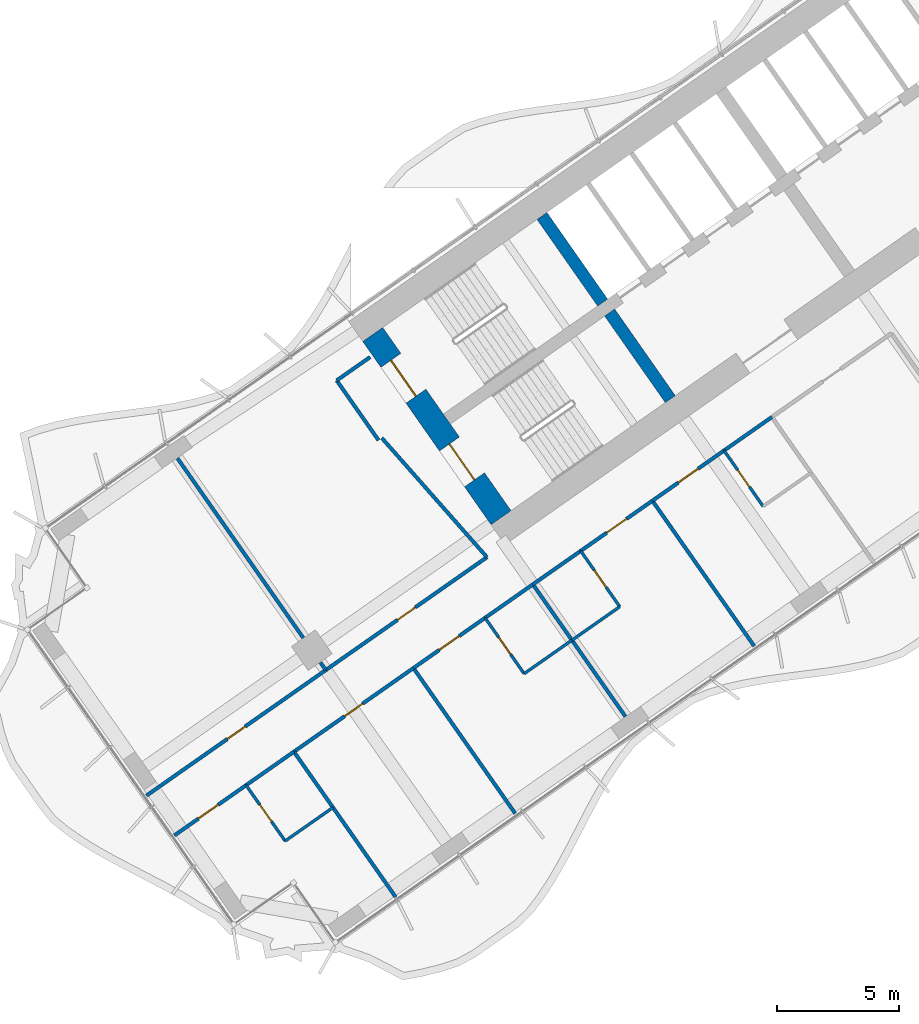
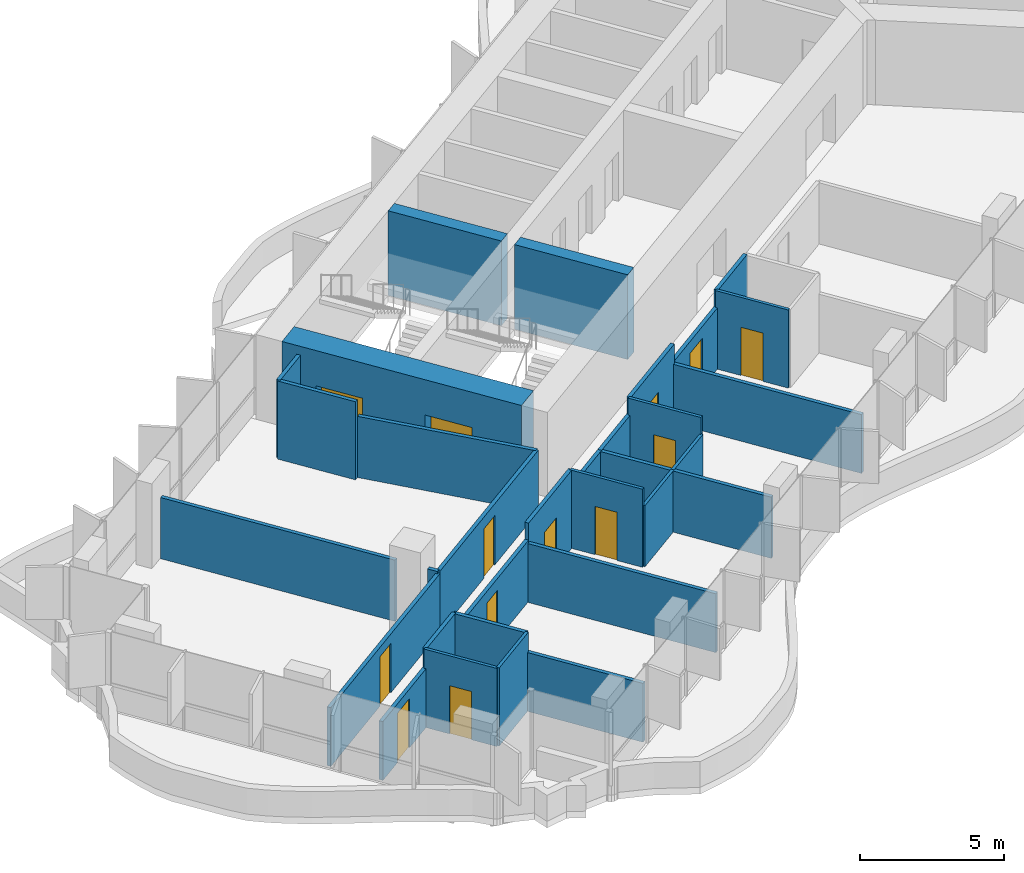
# One storey, part 12 of 23: 32 walls, 13 doors, 13 openings.
"""IFC4 building model written with IfcOpenShell, lengths in metres."""

from ifc_helpers import new_model, si_unit, direction, frame, frame_2d, origin, place, context, subcontext, project, spatial, polyline, rectangle, outline, extrude, material, layer, layer_set, type_object, element, fill, save


model = new_model("IFC4")

# Units and contexts
model_context = context("Model", 3, precision=1e-05, world=origin(), true_north=direction((0.0, 1.0)))
body_context = subcontext(model_context, "Body", "Model", "MODEL_VIEW")
ifc_project = project(units=[si_unit("LENGTHUNIT", "METRE"), si_unit("AREAUNIT", "SQUARE_METRE"), si_unit("VOLUMEUNIT", "CUBIC_METRE"), si_unit("PLANEANGLEUNIT", "RADIAN"), si_unit("MASSUNIT", "GRAM", prefix="KILO")], contexts=[model_context])

# Site, building, storey
site_placement = place(None, origin())
site = spatial("IfcSite", under=ifc_project, at=site_placement, CompositionType="ELEMENT")
building_placement = place(site_placement, origin())
building = spatial("IfcBuilding", under=site, at=building_placement, Name="Tel Ilan Convention Tower", CompositionType="ELEMENT")
storey_placement = place(building_placement, frame((0.0, 0.0, 119.300048828125)))
storey = spatial("IfcBuildingStorey", under=building, at=storey_placement, Name="L26", CompositionType="ELEMENT", Elevation=119.300048828125)

# Wall, openings, doors
ifc_material_1 = material(Name="Concrete C60/75", Category="concrete")
ifc_layer_1 = layer(ifc_material_1, 1.0)
ifc_layer_set_1 = layer_set([ifc_layer_1], Name="Core Shear Wall 1000 mm C60/75")
wall_type_1 = type_object("IfcWallType", Name="Core Shear Wall 1000 mm C60/75", PredefinedType="SHEAR", material=ifc_layer_set_1)
wall_1_placement = place(storey_placement, frame((-21.70751953125, -15.19970703125, 0.0), z_axis=(0.0, 0.0, 1.0), x_axis=(-0.573576324356, 0.819152122709, 0.0)))
wall_1 = element("IfcWall", 1, at=wall_1_placement, inside=storey, type_object=wall_type_1, Name="L26 core wall W-end", PredefinedType="SHEAR", context=body_context, shape_type="SweptSolid", body=[
    extrude(outline(polyline([(0.0, 0.5), (0.0, -0.5), (9.199951171875, -0.5), (9.199951171875, 0.5), (0.0, 0.5)])), origin(), (0.0, 0.0, 1.0), 3.599853515625),
])
opening_1_placement = place(wall_1_placement, frame((6.10009765625, 0.0, 0.0)))
opening_1 = element("IfcOpeningElement", 2, at=opening_1_placement, cuts=wall_1, Name="Opening SD2001", PredefinedType="OPENING", context=body_context, shape_type="SweptSolid", body=[
    extrude(rectangle(XDim=1.800048828125, YDim=2.10009765625, at=frame_2d((0.89990234375, 1.050048828125))), frame((0.0, 0.510009765625, 0.0), z_axis=(0.0, -1.0, 0.0), x_axis=(1.0, 0.0, 0.0)), (0.0, 0.0, 1.0), 1.02001953125),
])
opening_2_placement = place(wall_1_placement, frame((1.89990234375, 0.0, 0.0)))
opening_2 = element("IfcOpeningElement", 3, at=opening_2_placement, cuts=wall_1, Name="Opening SD2002", PredefinedType="OPENING", context=body_context, shape_type="SweptSolid", body=[
    extrude(rectangle(XDim=1.800048828125, YDim=2.10009765625, at=frame_2d((0.89990234375, 1.050048828125))), frame((0.0, 0.510009765625, 0.0), z_axis=(0.0, -1.0, 0.0), x_axis=(1.0, 0.0, 0.0)), (0.0, 0.0, 1.0), 1.02001953125),
])
ifc_material_2 = material(Name="Galvanised Steel Door Leaf", Category="steel")
door_type_1 = type_object("IfcDoorType", Name="Stair Fire Door 1800 x 2100 FD60S", OperationType="NOTDEFINED", PredefinedType="DOOR", material=ifc_material_2)
door_1_placement = place(opening_1_placement, origin())
door_1 = element("IfcDoor", 4, at=door_1_placement, inside=storey, type_object=door_type_1, Name="Stair S1 door", OperationType="DOUBLE_DOOR_SINGLE_SWING", OverallHeight=2.10009765625, OverallWidth=1.800048828125, PredefinedType="DOOR", context=body_context, shape_type="SweptSolid", body=[
    extrude(rectangle(XDim=1.800048828125, YDim=2.10009765625, at=frame_2d((0.89990234375, 1.050048828125))), frame((0.0, 0.02490234375, 0.0), z_axis=(0.0, -1.0, 0.0), x_axis=(1.0, 0.0, 0.0)), (0.0, 0.0, 1.0), 0.050048828125),
])
fill(opening_1, door_1)
door_2_placement = place(opening_2_placement, origin())
door_2 = element("IfcDoor", 5, at=door_2_placement, inside=storey, type_object=door_type_1, Name="Stair S2 door", OperationType="DOUBLE_DOOR_SINGLE_SWING", OverallHeight=2.10009765625, OverallWidth=1.800048828125, PredefinedType="DOOR", context=body_context, shape_type="SweptSolid", body=[
    extrude(rectangle(XDim=1.800048828125, YDim=2.10009765625, at=frame_2d((0.89990234375, 1.050048828125))), frame((0.0, 0.02490234375, 0.0), z_axis=(0.0, -1.0, 0.0), x_axis=(1.0, 0.0, 0.0)), (0.0, 0.0, 1.0), 0.050048828125),
])
fill(opening_2, door_2)

# Walls
ifc_material_3 = material(Name="Concrete C60/75", Category="concrete")
ifc_layer_2 = layer(ifc_material_3, 0.5)
ifc_layer_set_2 = layer_set([ifc_layer_2], Name="Core Shear Wall 500 mm C60/75")
wall_type_2 = type_object("IfcWallType", Name="Core Shear Wall 500 mm C60/75", PredefinedType="SHEAR", material=ifc_layer_set_2)
wall_2_placement = place(storey_placement, frame((-14.74462890625, -10.324462890625, 0.0), z_axis=(0.0, 0.0, 1.0), x_axis=(-0.57356780395, 0.819158088694, 0.0)))
element("IfcWall", 6, at=wall_2_placement, inside=storey, type_object=wall_type_2, Name="L26 core wall W-cross2-1", PredefinedType="SHEAR", context=body_context, shape_type="SweptSolid", body=[
    extrude(outline(polyline([(4.35009765625, 0.250244140625), (0.0, 0.25), (0.0, -0.25), (4.35009765625, -0.25), (4.35009765625, 0.250244140625)])), origin(), (0.0, 0.0, 1.0), 3.599853515625),
])
wall_3_placement = place(storey_placement, frame((-17.526611328125, -6.3515625, 0.0), z_axis=(0.0, 0.0, 1.0), x_axis=(-0.573530143085, 0.819184457233, 0.0)))
element("IfcWall", 7, at=wall_3_placement, inside=storey, type_object=wall_type_2, Name="L26 core wall W-cross2-2", PredefinedType="SHEAR", context=body_context, shape_type="SweptSolid", body=[
    extrude(outline(polyline([(4.35009765625, -0.249755859375), (4.35009765625, 0.250244140625), (0.0, 0.25), (0.0, -0.25), (4.35009765625, -0.249755859375)])), origin(), (0.0, 0.0, 1.0), 3.599853515625),
])

# Wall, opening, door
ifc_material_4 = material(Name="Plasterboard on Steel Studs", Category="steel")
ifc_layer_3 = layer(ifc_material_4, 0.14990234375)
ifc_layer_set_3 = layer_set([ifc_layer_3], Name="Fire-rated Partition 150 EI 60")
wall_type_3 = type_object("IfcWallType", Name="Fire-rated Partition 150 EI 60", PredefinedType="PARTITIONING", material=ifc_layer_set_3)
wall_4_placement = place(storey_placement, frame((-28.91748046875, -21.468994140625, 0.0), z_axis=(0.0, 0.0, 1.0), x_axis=(0.819152599934, 0.573575642807, 0.0)))
wall_4 = element("IfcWall", 8, at=wall_4_placement, inside=storey, type_object=wall_type_3, Name="Partition 021", PredefinedType="PARTITIONING", context=body_context, shape_type="SweptSolid", body=[
    extrude(rectangle(XDim=8.098388671875, YDim=0.14990234375, at=frame_2d((4.04931640625, 0.0))), origin(), (0.0, 0.0, 1.0), 2.599853515625),
])
opening_3_placement = place(wall_4_placement, frame((3.59912109375, 0.0, 0.0)))
opening_3 = element("IfcOpeningElement", 9, at=opening_3_placement, cuts=wall_4, Name="Opening L24-011", PredefinedType="OPENING", context=body_context, shape_type="SweptSolid", body=[
    extrude(rectangle(XDim=0.89990234375, YDim=2.10009765625, at=frame_2d((0.449951171875, 1.050048828125))), frame((0.0, 0.0849609375, 0.0), z_axis=(0.0, -1.0, 0.0), x_axis=(1.0, 0.0, 0.0)), (0.0, 0.0, 1.0), 0.169921875),
])
ifc_material_5 = material(Name="Timber Door Leaf in Steel Frame", Category="steel")
door_type_2 = type_object("IfcDoorType", Name="Room Fire Door 900x2100", OperationType="NOTDEFINED", PredefinedType="DOOR", material=ifc_material_5)
door_3_placement = place(opening_3_placement, origin())
door_3 = element("IfcDoor", 10, at=door_3_placement, inside=storey, type_object=door_type_2, Name="Door L24-011", OperationType="SINGLE_SWING_LEFT", OverallHeight=2.10009765625, OverallWidth=0.89990234375, PredefinedType="DOOR", context=body_context, shape_type="SweptSolid", body=[
    extrude(rectangle(XDim=0.89990234375, YDim=2.10009765625, at=frame_2d((0.449951171875, 1.050048828125))), frame((0.0, 0.02490234375, 0.0), z_axis=(0.0, -1.0, 0.0), x_axis=(1.0, 0.0, 0.0)), (0.0, 0.0, 1.0), 0.050048828125),
])
fill(opening_3, door_3)

wall_5_placement = place(storey_placement, frame((-36.288330078125, -26.630126953125, 0.0), z_axis=(0.0, 0.0, 1.0), x_axis=(0.81915291695, 0.57357519006, 0.0)))
wall_5 = element("IfcWall", 11, at=wall_5_placement, inside=storey, type_object=wall_type_3, Name="Partition 022", PredefinedType="PARTITIONING", context=body_context, shape_type="SweptSolid", body=[
    extrude(rectangle(XDim=9.001953125, YDim=0.14990234375, at=frame_2d((4.5009765625, 0.0))), origin(), (0.0, 0.0, 1.0), 2.5),
])
opening_4_placement = place(wall_5_placement, frame((4.051025390625, 0.0, 0.0)))
opening_4 = element("IfcOpeningElement", 12, at=opening_4_placement, cuts=wall_5, Name="Opening L24-012", PredefinedType="OPENING", context=body_context, shape_type="SweptSolid", body=[
    extrude(rectangle(XDim=0.89990234375, YDim=2.10009765625, at=frame_2d((0.449951171875, 1.050048828125))), frame((0.0, 0.0849609375, 0.0), z_axis=(0.0, -1.0, 0.0), x_axis=(1.0, 0.0, 0.0)), (0.0, 0.0, 1.0), 0.169921875),
])
door_4_placement = place(opening_4_placement, origin())
door_4 = element("IfcDoor", 13, at=door_4_placement, inside=storey, type_object=door_type_2, Name="Door L24-012", OperationType="SINGLE_SWING_LEFT", OverallHeight=2.10009765625, OverallWidth=0.89990234375, PredefinedType="DOOR", context=body_context, shape_type="SweptSolid", body=[
    extrude(rectangle(XDim=0.89990234375, YDim=2.10009765625, at=frame_2d((0.449951171875, 1.050048828125))), frame((0.0, 0.02490234375, 0.0), z_axis=(0.0, -1.0, 0.0), x_axis=(1.0, 0.0, 0.0)), (0.0, 0.0, 1.0), 0.050048828125),
])
fill(opening_4, door_4)

wall_6_placement = place(storey_placement, frame((-12.53173828125, -12.43701171875, 0.0), z_axis=(0.0, 0.0, 1.0), x_axis=(-0.819145961204, -0.573585123798, 0.0)))
wall_6 = element("IfcWall", 14, at=wall_6_placement, inside=storey, type_object=wall_type_3, Name="Partition 024", PredefinedType="PARTITIONING", context=body_context, shape_type="SweptSolid", body=[
    extrude(rectangle(XDim=3.60302734375, YDim=0.14990234375, at=frame_2d((1.801513671875, 0.0))), origin(), (0.0, 0.0, 1.0), 2.599853515625),
])
opening_5_placement = place(wall_6_placement, frame((1.301025390625, 0.0, 0.0)))
opening_5 = element("IfcOpeningElement", 15, at=opening_5_placement, cuts=wall_6, Name="Opening L24-003", PredefinedType="OPENING", context=body_context, shape_type="SweptSolid", body=[
    extrude(rectangle(XDim=1.0, YDim=2.10009765625, at=frame_2d((0.5, 1.050048828125))), frame((0.0, 0.0849609375, 0.0), z_axis=(0.0, -1.0, 0.0), x_axis=(1.0, 0.0, 0.0)), (0.0, 0.0, 1.0), 0.169921875),
])
ifc_material_6 = material(Name="Timber Door Leaf in Steel Frame", Category="steel")
door_type_3 = type_object("IfcDoorType", Name="Hotel Room Entrance Fire Door 1000x2100", OperationType="NOTDEFINED", PredefinedType="DOOR", material=ifc_material_6)
door_5_placement = place(opening_5_placement, origin())
door_5 = element("IfcDoor", 16, at=door_5_placement, inside=storey, type_object=door_type_3, Name="Door L24-003", OperationType="SINGLE_SWING_LEFT", OverallHeight=2.10009765625, OverallWidth=1.0, PredefinedType="DOOR", context=body_context, shape_type="SweptSolid", body=[
    extrude(rectangle(XDim=1.0, YDim=2.10009765625, at=frame_2d((0.5, 1.050048828125))), frame((0.0, 0.02490234375, 0.0), z_axis=(0.0, -1.0, 0.0), x_axis=(1.0, 0.0, 0.0)), (0.0, 0.0, 1.0), 0.050048828125),
])
fill(opening_5, door_5)

# Wall
wall_7_placement = place(storey_placement, frame((-10.56494140625, -11.06005859375, 0.0), z_axis=(0.0, 0.0, 1.0), x_axis=(-0.819193748, -0.57351687267, 0.0)))
element("IfcWall", 17, at=wall_7_placement, inside=storey, type_object=wall_type_3, Name="Partition 025", PredefinedType="PARTITIONING", context=body_context, shape_type="SweptSolid", body=[
    extrude(rectangle(XDim=2.40380859375, YDim=0.14990234375, at=frame_2d((1.201904296875, 0.0))), origin(), (0.0, 0.0, 1.0), 3.320068359375),
])

# Wall, opening, door
wall_8_placement = place(storey_placement, frame((-15.479736328125, -14.50146484375, 0.0), z_axis=(0.0, 0.0, 1.0), x_axis=(-0.819145961204, -0.573585123798, 0.0)))
wall_8 = element("IfcWall", 18, at=wall_8_placement, inside=storey, type_object=wall_type_3, Name="Partition 026", PredefinedType="PARTITIONING", context=body_context, shape_type="SweptSolid", body=[
    extrude(rectangle(XDim=3.60302734375, YDim=0.14990234375, at=frame_2d((1.801513671875, 0.0))), origin(), (0.0, 0.0, 1.0), 3.320068359375),
])
opening_6_placement = place(wall_8_placement, frame((1.302001953125, 0.0, 0.0)))
opening_6 = element("IfcOpeningElement", 19, at=opening_6_placement, cuts=wall_8, Name="Opening L24-005", PredefinedType="OPENING", context=body_context, shape_type="SweptSolid", body=[
    extrude(rectangle(XDim=1.0, YDim=2.10009765625, at=frame_2d((0.5, 1.050048828125))), frame((0.0, 0.0849609375, 0.0), z_axis=(0.0, -1.0, 0.0), x_axis=(1.0, 0.0, 0.0)), (0.0, 0.0, 1.0), 0.169921875),
])
door_6_placement = place(opening_6_placement, origin())
door_6 = element("IfcDoor", 20, at=door_6_placement, inside=storey, type_object=door_type_3, Name="Door L24-005", OperationType="SINGLE_SWING_LEFT", OverallHeight=2.10009765625, OverallWidth=1.0, PredefinedType="DOOR", context=body_context, shape_type="SweptSolid", body=[
    extrude(rectangle(XDim=1.0, YDim=2.10009765625, at=frame_2d((0.5, 1.050048828125))), frame((0.0, 0.02490234375, 0.0), z_axis=(0.0, -1.0, 0.0), x_axis=(1.0, 0.0, 0.0)), (0.0, 0.0, 1.0), 0.050048828125),
])
fill(opening_6, door_6)

# Wall
wall_9_placement = place(storey_placement, frame((-18.4287109375, -16.56640625, 0.0), z_axis=(0.0, 0.0, 1.0), x_axis=(-0.819146032251, -0.573585022335, 0.0)))
element("IfcWall", 21, at=wall_9_placement, inside=storey, type_object=wall_type_3, Name="Partition 027", PredefinedType="PARTITIONING", context=body_context, shape_type="SweptSolid", body=[
    extrude(rectangle(XDim=2.404052734375, YDim=0.14990234375, at=frame_2d((1.2021484375, 0.0))), origin(), (0.0, 0.0, 1.0), 2.599853515625),
])

# Wall, opening, door
wall_10_placement = place(storey_placement, frame((-22.361572265625, -19.320068359375, 0.0), z_axis=(0.0, 0.0, 1.0), x_axis=(-0.819145961204, -0.573585123798, 0.0)))
wall_10 = element("IfcWall", 22, at=wall_10_placement, inside=storey, type_object=wall_type_3, Name="Partition 028", PredefinedType="PARTITIONING", context=body_context, shape_type="SweptSolid", body=[
    extrude(rectangle(XDim=3.60302734375, YDim=0.14990234375, at=frame_2d((1.801513671875, 0.0))), origin(), (0.0, 0.0, 1.0), 3.320068359375),
])
opening_7_placement = place(wall_10_placement, frame((1.301025390625, 0.0, 0.0)))
opening_7 = element("IfcOpeningElement", 23, at=opening_7_placement, cuts=wall_10, Name="Opening L24-007", PredefinedType="OPENING", context=body_context, shape_type="SweptSolid", body=[
    extrude(rectangle(XDim=1.0, YDim=2.10009765625, at=frame_2d((0.5, 1.050048828125))), frame((0.0, 0.0849609375, 0.0), z_axis=(0.0, -1.0, 0.0), x_axis=(1.0, 0.0, 0.0)), (0.0, 0.0, 1.0), 0.169921875),
])
door_7_placement = place(opening_7_placement, origin())
door_7 = element("IfcDoor", 24, at=door_7_placement, inside=storey, type_object=door_type_3, Name="Door L24-007", OperationType="SINGLE_SWING_LEFT", OverallHeight=2.10009765625, OverallWidth=1.0, PredefinedType="DOOR", context=body_context, shape_type="SweptSolid", body=[
    extrude(rectangle(XDim=1.0, YDim=2.10009765625, at=frame_2d((0.5, 1.050048828125))), frame((0.0, 0.02490234375, 0.0), z_axis=(0.0, -1.0, 0.0), x_axis=(1.0, 0.0, 0.0)), (0.0, 0.0, 1.0), 0.050048828125),
])
fill(opening_7, door_7)

# Wall
wall_11_placement = place(storey_placement, frame((-20.394775390625, -17.94287109375, 0.0), z_axis=(0.0, 0.0, 1.0), x_axis=(-0.819146032251, -0.573585022335, 0.0)))
element("IfcWall", 25, at=wall_11_placement, inside=storey, type_object=wall_type_3, Name="Partition 029", PredefinedType="PARTITIONING", context=body_context, shape_type="SweptSolid", body=[
    extrude(rectangle(XDim=2.404052734375, YDim=0.14990234375, at=frame_2d((1.2021484375, 0.0))), origin(), (0.0, 0.0, 1.0), 2.599853515625),
])

# Wall, opening, door
wall_12_placement = place(storey_placement, frame((-25.3095703125, -21.38427734375, 0.0), z_axis=(0.0, 0.0, 1.0), x_axis=(-0.819145946981, -0.573585144111, 0.0)))
wall_12 = element("IfcWall", 26, at=wall_12_placement, inside=storey, type_object=wall_type_3, Name="Partition 030", PredefinedType="PARTITIONING", context=body_context, shape_type="SweptSolid", body=[
    extrude(rectangle(XDim=6.004150390625, YDim=0.14990234375, at=frame_2d((3.001953125, 0.0))), origin(), (0.0, 0.0, 1.0), 2.599853515625),
])
opening_8_placement = place(wall_12_placement, frame((2.552001953125, 0.0, 0.0)))
opening_8 = element("IfcOpeningElement", 27, at=opening_8_placement, cuts=wall_12, Name="Opening L24-008", PredefinedType="OPENING", context=body_context, shape_type="SweptSolid", body=[
    extrude(rectangle(XDim=0.89990234375, YDim=2.10009765625, at=frame_2d((0.449951171875, 1.050048828125))), frame((0.0, 0.0849609375, 0.0), z_axis=(0.0, -1.0, 0.0), x_axis=(1.0, 0.0, 0.0)), (0.0, 0.0, 1.0), 0.169921875),
])
door_8_placement = place(opening_8_placement, origin())
door_8 = element("IfcDoor", 28, at=door_8_placement, inside=storey, type_object=door_type_2, Name="Door L24-008", OperationType="SINGLE_SWING_RIGHT", OverallHeight=2.10009765625, OverallWidth=0.89990234375, PredefinedType="DOOR", context=body_context, shape_type="SweptSolid", body=[
    extrude(rectangle(XDim=0.89990234375, YDim=2.10009765625, at=frame_2d((0.449951171875, 1.050048828125))), frame((0.0, 0.02490234375, 0.0), z_axis=(0.0, -1.0, 0.0), x_axis=(1.0, 0.0, 0.0)), (0.0, 0.0, 1.0), 0.050048828125),
])
fill(opening_8, door_8)

wall_13_placement = place(storey_placement, frame((-32.19140625, -26.202880859375, 0.0), z_axis=(0.0, 0.0, 1.0), x_axis=(-0.819149096931, -0.573580645591, 0.0)))
wall_13 = element("IfcWall", 29, at=wall_13_placement, inside=storey, type_object=wall_type_3, Name="Partition 031", PredefinedType="PARTITIONING", context=body_context, shape_type="SweptSolid", body=[
    extrude(rectangle(XDim=3.600830078125, YDim=0.14990234375, at=frame_2d((1.80029296875, 0.0))), origin(), (0.0, 0.0, 1.0), 2.5),
])
opening_9_placement = place(wall_13_placement, frame((1.40087890625, 0.0, 0.0)))
opening_9 = element("IfcOpeningElement", 30, at=opening_9_placement, cuts=wall_13, Name="Opening L24-010", PredefinedType="OPENING", context=body_context, shape_type="SweptSolid", body=[
    extrude(rectangle(XDim=1.0, YDim=2.10009765625, at=frame_2d((0.5, 1.050048828125))), frame((0.0, 0.0849609375, 0.0), z_axis=(0.0, -1.0, 0.0), x_axis=(1.0, 0.0, 0.0)), (0.0, 0.0, 1.0), 0.169921875),
])
door_9_placement = place(opening_9_placement, origin())
door_9 = element("IfcDoor", 31, at=door_9_placement, inside=storey, type_object=door_type_3, Name="Door L24-010", OperationType="SINGLE_SWING_LEFT", OverallHeight=2.10009765625, OverallWidth=1.0, PredefinedType="DOOR", context=body_context, shape_type="SweptSolid", body=[
    extrude(rectangle(XDim=1.0, YDim=2.10009765625, at=frame_2d((0.5, 1.050048828125))), frame((0.0, 0.02490234375, 0.0), z_axis=(0.0, -1.0, 0.0), x_axis=(1.0, 0.0, 0.0)), (0.0, 0.0, 1.0), 0.050048828125),
])
fill(opening_9, door_9)

# Walls
wall_14_placement = place(storey_placement, frame((-30.224609375, -24.82568359375, 0.0), z_axis=(0.0, 0.0, 1.0), x_axis=(-0.819146032251, -0.573585022335, 0.0)))
element("IfcWall", 32, at=wall_14_placement, inside=storey, type_object=wall_type_3, Name="Partition 032", PredefinedType="PARTITIONING", context=body_context, shape_type="SweptSolid", body=[
    extrude(rectangle(XDim=2.404052734375, YDim=0.14990234375, at=frame_2d((1.2021484375, 0.0))), origin(), (0.0, 0.0, 1.0), 3.320068359375),
])
wall_15_placement = place(storey_placement, frame((-26.74609375, -12.013671875, 0.0), z_axis=(0.0, 0.0, 1.0), x_axis=(-0.573560650686, 0.819163097304, 0.0)))
element("IfcWall", 33, at=wall_15_placement, inside=storey, type_object=wall_type_3, Name="Partition 071", PredefinedType="PARTITIONING", context=body_context, shape_type="SweptSolid", body=[
    extrude(rectangle(XDim=3.0, YDim=0.14990234375, at=frame_2d((1.5, 0.0))), origin(), (0.0, 0.0, 1.0), 3.320068359375),
])
wall_16_placement = place(storey_placement, frame((-28.466796875, -9.55615234375, 0.0), z_axis=(0.0, 0.0, 1.0), x_axis=(0.819109000826, 0.573637903879, 0.0)))
element("IfcWall", 34, at=wall_16_placement, inside=storey, type_object=wall_type_3, Name="Partition 072", PredefinedType="PARTITIONING", context=body_context, shape_type="SweptSolid", body=[
    extrude(rectangle(XDim=1.679931640625, YDim=0.14990234375, at=frame_2d((0.83984375, 0.0))), origin(), (0.0, 0.0, 1.0), 3.320068359375),
])
wall_17_placement = place(storey_placement, frame((-22.2841796875, -16.82666015625, 0.0), z_axis=(0.0, 0.0, 1.0), x_axis=(-0.661545117561, 0.749905365651, 0.0)))
element("IfcWall", 35, at=wall_17_placement, inside=storey, type_object=wall_type_3, Name="Partition 073", PredefinedType="PARTITIONING", context=body_context, shape_type="SweptSolid", body=[
    extrude(rectangle(XDim=6.542724609375, YDim=0.14990234375, at=frame_2d((3.271484375, 0.0))), origin(), (0.0, 0.0, 1.0), 2.599853515625),
])
wall_18_placement = place(storey_placement, frame((-28.916015625, -21.468017578125, 0.0), z_axis=(0.0, 0.0, 1.0), x_axis=(-0.572944929411, 0.819593867633, 0.0)))
element("IfcWall", 36, at=wall_18_placement, inside=storey, type_object=wall_type_3, Name="Partition 074", PredefinedType="PARTITIONING", context=body_context, shape_type="SweptSolid", body=[
    extrude(rectangle(XDim=0.380126953125, YDim=0.14990234375, at=frame_2d((0.18994140625, 0.0))), origin(), (0.0, 0.0, 1.0), 2.599853515625),
])
wall_19_placement = place(storey_placement, frame((-29.84521484375, -20.140869140625, 0.0), z_axis=(0.0, 0.0, 1.0), x_axis=(-0.573558725113, 0.819164445546, 0.0)))
element("IfcWall", 37, at=wall_19_placement, inside=storey, type_object=wall_type_3, Name="Partition 075", PredefinedType="PARTITIONING", context=body_context, shape_type="SweptSolid", body=[
    extrude(rectangle(XDim=9.010009765625, YDim=0.14990234375, at=frame_2d((4.5048828125, 0.0))), origin(), (0.0, 0.0, 1.0), 2.599853515625),
])
wall_20_placement = place(storey_placement, frame((-11.29443359375, -20.482421875, 0.0), z_axis=(0.0, 0.0, 1.0), x_axis=(-0.573572324301, 0.819154923562, 0.0)))
element("IfcWall", 38, at=wall_20_placement, inside=storey, type_object=wall_type_3, Name="Partition 080", PredefinedType="PARTITIONING", context=body_context, shape_type="SweptSolid", body=[
    extrude(rectangle(XDim=7.2998046875, YDim=0.14990234375, at=frame_2d((3.64990234375, 0.0))), origin(), (0.0, 0.0, 1.0), 2.5),
])
wall_21_placement = place(storey_placement, frame((-16.593505859375, -23.375, 0.0), z_axis=(0.0, 0.0, 1.0), x_axis=(-0.573594994199, 0.819139049631, 0.0)))
element("IfcWall", 39, at=wall_21_placement, inside=storey, type_object=wall_type_3, Name="Partition 083", PredefinedType="PARTITIONING", context=body_context, shape_type="SweptSolid", body=[
    extrude(rectangle(XDim=3.8291015625, YDim=0.14990234375, at=frame_2d((1.91455078125, 0.0))), origin(), (0.0, 0.0, 1.0), 2.599853515625),
])
wall_22_placement = place(storey_placement, frame((-18.790283203125, -20.237548828125, 0.0), z_axis=(0.0, 0.0, 1.0), x_axis=(-0.57364959175, 0.819100815459, 0.0)))
element("IfcWall", 40, at=wall_22_placement, inside=storey, type_object=wall_type_3, Name="Partition 084", PredefinedType="PARTITIONING", context=body_context, shape_type="SweptSolid", body=[
    extrude(rectangle(XDim=2.800048828125, YDim=0.14990234375, at=frame_2d((1.39990234375, 0.0))), origin(), (0.0, 0.0, 1.0), 2.599853515625),
])
wall_23_placement = place(storey_placement, frame((-21.124267578125, -27.365234375, 0.0), z_axis=(0.0, 0.0, 1.0), x_axis=(-0.573572324301, 0.819154923562, 0.0)))
element("IfcWall", 41, at=wall_23_placement, inside=storey, type_object=wall_type_3, Name="Partition 087", PredefinedType="PARTITIONING", context=body_context, shape_type="SweptSolid", body=[
    extrude(rectangle(XDim=7.2998046875, YDim=0.14990234375, at=frame_2d((3.64990234375, 0.0))), origin(), (0.0, 0.0, 1.0), 2.5),
])
wall_24_placement = place(storey_placement, frame((-26.0390625, -30.806640625, 0.0), z_axis=(0.0, 0.0, 1.0), x_axis=(-0.573593387921, 0.81914017441, 0.0)))
element("IfcWall", 42, at=wall_24_placement, inside=storey, type_object=wall_type_3, Name="Partition 088", PredefinedType="PARTITIONING", context=body_context, shape_type="SweptSolid", body=[
    extrude(rectangle(XDim=4.5009765625, YDim=0.14990234375, at=frame_2d((2.25048828125, 0.0))), origin(), (0.0, 0.0, 1.0), 2.5),
])
wall_25_placement = place(storey_placement, frame((-28.618896484375, -27.122314453125, 0.0), z_axis=(0.0, 0.0, 1.0), x_axis=(-0.573614360281, 0.819125488359, 0.0)))
element("IfcWall", 43, at=wall_25_placement, inside=storey, type_object=wall_type_3, Name="Partition 089", PredefinedType="PARTITIONING", context=body_context, shape_type="SweptSolid", body=[
    extrude(rectangle(XDim=2.80224609375, YDim=0.14990234375, at=frame_2d((1.401123046875, 0.0))), origin(), (0.0, 0.0, 1.0), 3.320068359375),
])

# Wall, opening, door
ifc_material_7 = material(Name="Plasterboard on Steel Studs", Category="steel")
ifc_layer_4 = layer(ifc_material_7, 0.1201171875)
ifc_layer_set_4 = layer_set([ifc_layer_4], Name="Moisture-resistant Partition 120")
wall_type_4 = type_object("IfcWallType", Name="Moisture-resistant Partition 120", PredefinedType="PARTITIONING", material=ifc_layer_set_4)
wall_26_placement = place(storey_placement, frame((-12.533203125, -12.438232421875, 0.0), z_axis=(0.0, 0.0, 1.0), x_axis=(0.573550118428, -0.819170471667, 0.0)))
wall_26 = element("IfcWall", 44, at=wall_26_placement, inside=storey, type_object=wall_type_4, Name="Partition 078", PredefinedType="PARTITIONING", context=body_context, shape_type="SweptSolid", body=[
    extrude(rectangle(XDim=2.800048828125, YDim=0.1201171875, at=frame_2d((1.39990234375, 0.0))), origin(), (0.0, 0.0, 1.0), 3.320068359375),
])
opening_10_placement = place(wall_26_placement, frame((0.97509765625, 0.0, 0.0)))
opening_10 = element("IfcOpeningElement", 45, at=opening_10_placement, cuts=wall_26, Name="Opening L24-002", PredefinedType="OPENING", context=body_context, shape_type="SweptSolid", body=[
    extrude(rectangle(XDim=0.85009765625, YDim=2.050048828125, at=frame_2d((0.425048828125, 1.02490234375))), frame((0.0, 0.070068359375, 0.0), z_axis=(0.0, -1.0, 0.0), x_axis=(1.0, 0.0, 0.0)), (0.0, 0.0, 1.0), 0.14013671875),
])
ifc_material_8 = material(Name="Timber Door Leaf in Steel Frame", Category="steel")
door_type_4 = type_object("IfcDoorType", Name="Bathroom Timber Door 850x2050", OperationType="NOTDEFINED", PredefinedType="DOOR", material=ifc_material_8)
door_10_placement = place(opening_10_placement, origin())
door_10 = element("IfcDoor", 46, at=door_10_placement, inside=storey, type_object=door_type_4, Name="Door L24-002", OperationType="SINGLE_SWING_RIGHT", OverallHeight=2.050048828125, OverallWidth=0.85009765625, PredefinedType="DOOR", context=body_context, shape_type="SweptSolid", body=[
    extrude(rectangle(XDim=0.85009765625, YDim=2.050048828125, at=frame_2d((0.425048828125, 1.02490234375))), frame((0.0, 0.02490234375, 0.0), z_axis=(0.0, -1.0, 0.0), x_axis=(1.0, 0.0, 0.0)), (0.0, 0.0, 1.0), 0.050048828125),
])
fill(opening_10, door_10)

# Wall
wall_27_placement = place(storey_placement, frame((-18.789794921875, -20.238525390625, 0.0), z_axis=(0.0, 0.0, 1.0), x_axis=(0.819141114317, 0.573592045652, 0.0)))
element("IfcWall", 47, at=wall_27_placement, inside=storey, type_object=wall_type_4, Name="Partition 081", PredefinedType="PARTITIONING", context=body_context, shape_type="SweptSolid", body=[
    extrude(rectangle(XDim=2.400146484375, YDim=0.1201171875, at=frame_2d((1.2001953125, 0.0))), origin(), (0.0, 0.0, 1.0), 2.599853515625),
])

# Wall, opening, door
wall_28_placement = place(storey_placement, frame((-16.823486328125, -18.860595703125, 0.0), z_axis=(0.0, 0.0, 1.0), x_axis=(-0.573608623498, 0.819129505664, 0.0)))
wall_28 = element("IfcWall", 48, at=wall_28_placement, inside=storey, type_object=wall_type_4, Name="Partition 082", PredefinedType="PARTITIONING", context=body_context, shape_type="SweptSolid", body=[
    extrude(rectangle(XDim=2.800048828125, YDim=0.1201171875, at=frame_2d((1.39990234375, 0.0))), origin(), (0.0, 0.0, 1.0), 3.320068359375),
])
opening_11_placement = place(wall_28_placement, frame((0.97509765625, 0.0, 0.0)))
opening_11 = element("IfcOpeningElement", 49, at=opening_11_placement, cuts=wall_28, Name="Opening L24-004", PredefinedType="OPENING", context=body_context, shape_type="SweptSolid", body=[
    extrude(rectangle(XDim=0.85009765625, YDim=2.050048828125, at=frame_2d((0.425048828125, 1.02490234375))), frame((0.0, 0.070068359375, 0.0), z_axis=(0.0, -1.0, 0.0), x_axis=(1.0, 0.0, 0.0)), (0.0, 0.0, 1.0), 0.14013671875),
])
door_11_placement = place(opening_11_placement, origin())
door_11 = element("IfcDoor", 50, at=door_11_placement, inside=storey, type_object=door_type_4, Name="Door L24-004", OperationType="SINGLE_SWING_RIGHT", OverallHeight=2.050048828125, OverallWidth=0.85009765625, PredefinedType="DOOR", context=body_context, shape_type="SweptSolid", body=[
    extrude(rectangle(XDim=0.85009765625, YDim=2.050048828125, at=frame_2d((0.425048828125, 1.02490234375))), frame((0.0, 0.02490234375, 0.0), z_axis=(0.0, -1.0, 0.0), x_axis=(1.0, 0.0, 0.0)), (0.0, 0.0, 1.0), 0.050048828125),
])
fill(opening_11, door_11)

wall_29_placement = place(storey_placement, frame((-22.36328125, -19.3212890625, 0.0), z_axis=(0.0, 0.0, 1.0), x_axis=(0.57364959175, -0.819100815459, 0.0)))
wall_29 = element("IfcWall", 51, at=wall_29_placement, inside=storey, type_object=wall_type_4, Name="Partition 085", PredefinedType="PARTITIONING", context=body_context, shape_type="SweptSolid", body=[
    extrude(rectangle(XDim=2.800048828125, YDim=0.1201171875, at=frame_2d((1.39990234375, 0.0))), origin(), (0.0, 0.0, 1.0), 3.320068359375),
])
opening_12_placement = place(wall_29_placement, frame((0.97509765625, 0.0, 0.0)))
opening_12 = element("IfcOpeningElement", 52, at=opening_12_placement, cuts=wall_29, Name="Opening L24-006", PredefinedType="OPENING", context=body_context, shape_type="SweptSolid", body=[
    extrude(rectangle(XDim=0.85009765625, YDim=2.050048828125, at=frame_2d((0.425048828125, 1.02490234375))), frame((0.0, 0.070068359375, 0.0), z_axis=(0.0, -1.0, 0.0), x_axis=(1.0, 0.0, 0.0)), (0.0, 0.0, 1.0), 0.14013671875),
])
door_12_placement = place(opening_12_placement, origin())
door_12 = element("IfcDoor", 53, at=door_12_placement, inside=storey, type_object=door_type_4, Name="Door L24-006", OperationType="SINGLE_SWING_RIGHT", OverallHeight=2.050048828125, OverallWidth=0.85009765625, PredefinedType="DOOR", context=body_context, shape_type="SweptSolid", body=[
    extrude(rectangle(XDim=0.85009765625, YDim=2.050048828125, at=frame_2d((0.425048828125, 1.02490234375))), frame((0.0, 0.02490234375, 0.0), z_axis=(0.0, -1.0, 0.0), x_axis=(1.0, 0.0, 0.0)), (0.0, 0.0, 1.0), 0.050048828125),
])
fill(opening_12, door_12)

# Wall
wall_30_placement = place(storey_placement, frame((-20.755859375, -21.614990234375, 0.0), z_axis=(0.0, 0.0, 1.0), x_axis=(0.819188907105, 0.573523787192, 0.0)))
element("IfcWall", 54, at=wall_30_placement, inside=storey, type_object=wall_type_4, Name="Partition 086", PredefinedType="PARTITIONING", context=body_context, shape_type="SweptSolid", body=[
    extrude(rectangle(XDim=2.39990234375, YDim=0.1201171875, at=frame_2d((1.199951171875, 0.0))), origin(), (0.0, 0.0, 1.0), 2.599853515625),
])

# Wall, opening, door
wall_31_placement = place(storey_placement, frame((-32.193115234375, -26.2041015625, 0.0), z_axis=(0.0, 0.0, 1.0), x_axis=(0.573608623498, -0.819129505664, 0.0)))
wall_31 = element("IfcWall", 55, at=wall_31_placement, inside=storey, type_object=wall_type_4, Name="Partition 090", PredefinedType="PARTITIONING", context=body_context, shape_type="SweptSolid", body=[
    extrude(rectangle(XDim=2.800048828125, YDim=0.1201171875, at=frame_2d((1.39990234375, 0.0))), origin(), (0.0, 0.0, 1.0), 3.320068359375),
])
opening_13_placement = place(wall_31_placement, frame((0.97509765625, 0.0, 0.0)))
opening_13 = element("IfcOpeningElement", 56, at=opening_13_placement, cuts=wall_31, Name="Opening L24-009", PredefinedType="OPENING", context=body_context, shape_type="SweptSolid", body=[
    extrude(rectangle(XDim=0.85009765625, YDim=2.050048828125, at=frame_2d((0.425048828125, 1.02490234375))), frame((0.0, 0.070068359375, 0.0), z_axis=(0.0, -1.0, 0.0), x_axis=(1.0, 0.0, 0.0)), (0.0, 0.0, 1.0), 0.14013671875),
])
door_13_placement = place(opening_13_placement, origin())
door_13 = element("IfcDoor", 57, at=door_13_placement, inside=storey, type_object=door_type_4, Name="Door L24-009", OperationType="SINGLE_SWING_LEFT", OverallHeight=2.050048828125, OverallWidth=0.85009765625, PredefinedType="DOOR", context=body_context, shape_type="SweptSolid", body=[
    extrude(rectangle(XDim=0.85009765625, YDim=2.050048828125, at=frame_2d((0.425048828125, 1.02490234375))), frame((0.0, 0.02490234375, 0.0), z_axis=(0.0, -1.0, 0.0), x_axis=(1.0, 0.0, 0.0)), (0.0, 0.0, 1.0), 0.050048828125),
])
fill(opening_13, door_13)

# Wall
wall_32_placement = place(storey_placement, frame((-30.585693359375, -28.498046875, 0.0), z_axis=(0.0, 0.0, 1.0), x_axis=(0.819141114317, 0.573592045652, 0.0)))
element("IfcWall", 58, at=wall_32_placement, inside=storey, type_object=wall_type_4, Name="Partition 091", PredefinedType="PARTITIONING", context=body_context, shape_type="SweptSolid", body=[
    extrude(rectangle(XDim=2.400146484375, YDim=0.1201171875, at=frame_2d((1.2001953125, 0.0))), origin(), (0.0, 0.0, 1.0), 3.320068359375),
])

save(model, "model.ifc")
